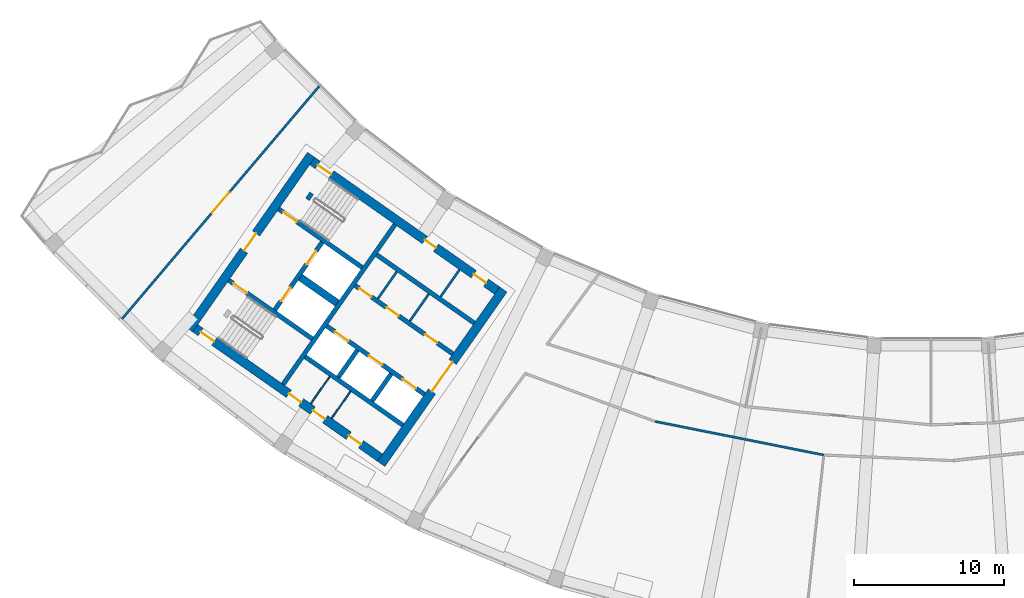
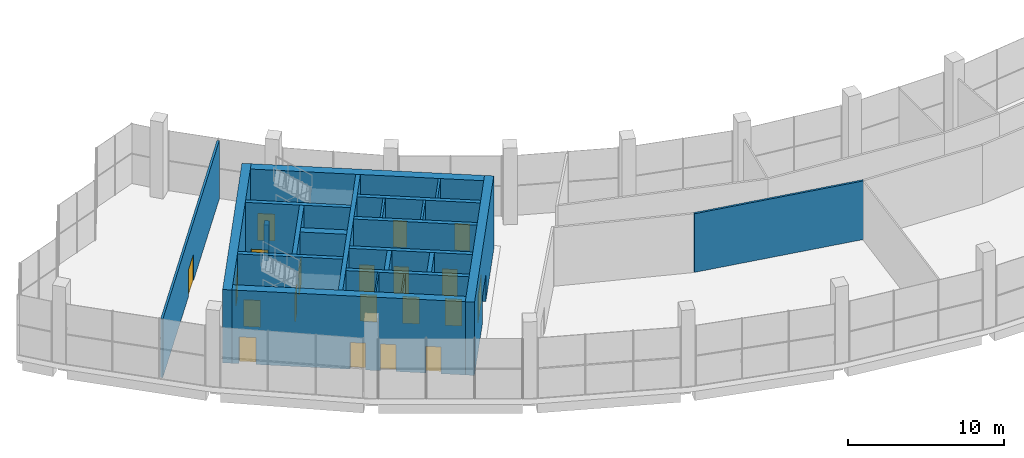
# One storey, part 3 of 41: 23 walls, 20 doors, 20 openings.
"""IFC4 building model written with IfcOpenShell, lengths in metres."""

from ifc_helpers import new_model, si_unit, direction, frame, frame_2d, origin, place, context, subcontext, project, spatial, rectangle, extrude, material, layer, layer_set, type_object, element, fill, save


model = new_model("IFC4")

# Units and contexts
model_context = context("Model", 3, precision=1e-05, world=origin(), true_north=direction((0.0, 1.0)))
body_context = subcontext(model_context, "Body", "Model", "MODEL_VIEW")
ifc_project = project(units=[si_unit("LENGTHUNIT", "METRE"), si_unit("AREAUNIT", "SQUARE_METRE"), si_unit("VOLUMEUNIT", "CUBIC_METRE"), si_unit("PLANEANGLEUNIT", "RADIAN"), si_unit("MASSUNIT", "GRAM", prefix="KILO")], contexts=[model_context])

# Site, building, storey
site_placement = place(None, origin())
site = spatial("IfcSite", under=ifc_project, at=site_placement, CompositionType="ELEMENT")
building_placement = place(site_placement, origin())
building = spatial("IfcBuilding", under=site, at=building_placement, Name="Qamariyya Broadcast Tower", CompositionType="ELEMENT")
storey_placement = place(building_placement, frame((0.0, 0.0, 284.699951171875)))
storey = spatial("IfcBuildingStorey", under=building, at=storey_placement, Name="L69", CompositionType="ELEMENT", Elevation=284.699951171875)

# Wall, opening, door
ifc_material_1 = material(Name="Concrete C60/75", Category="concrete")
ifc_layer_1 = layer(ifc_material_1, 0.60009765625)
ifc_layer_set_1 = layer_set([ifc_layer_1], Name="Core wall 600 mm Concrete C60/75")
wall_type_1 = type_object("IfcWallType", Name="Core wall 600 mm Concrete C60/75", PredefinedType="SHEAR", material=ifc_layer_set_1)
wall_1_placement = place(storey_placement, frame((-36.66748046875, -66.005126953125, 0.0), z_axis=(0.0, 0.0, 1.0), x_axis=(0.573568499524, 0.819157601658, 0.0)))
wall_1 = element("IfcWall", 1, at=wall_1_placement, inside=storey, type_object=wall_type_1, Name="k-W-L69-WA", PredefinedType="SHEAR", context=body_context, shape_type="SweptSolid", body=[
    extrude(rectangle(XDim=14.19970703125, YDim=0.60009765625, at=frame_2d((7.099853515625, 0.0))), origin(), (0.0, 0.0, 1.0), 5.75),
])
opening_1_placement = place(wall_1_placement, frame((5.89990234375, 0.0, 0.0)))
opening_1 = element("IfcOpeningElement", 2, at=opening_1_placement, cuts=wall_1, Name="Opening KD3-W1", PredefinedType="OPENING", context=body_context, shape_type="SweptSolid", body=[
    extrude(rectangle(XDim=2.39990234375, YDim=2.10009765625, at=frame_2d((1.199951171875, 1.050048828125))), frame((0.0, 0.31005859375, 0.0), z_axis=(0.0, -1.0, 0.0), x_axis=(1.0, 0.0, 0.0)), (0.0, 0.0, 1.0), 0.6201171875),
])
ifc_material_2 = material(Name="Steel fire-resisting door leaf", Category="steel")
door_type_1 = type_object("IfcDoorType", Name="Lift lobby door KD3", OperationType="DOUBLE_DOOR_SINGLE_SWING", PredefinedType="DOOR", material=ifc_material_2)
door_1_placement = place(opening_1_placement, origin())
door_1 = element("IfcDoor", 3, at=door_1_placement, inside=storey, type_object=door_type_1, Name="k-W-L69-WA-D1", OperationType="DOUBLE_DOOR_SINGLE_SWING", OverallHeight=2.10009765625, OverallWidth=2.39990234375, PredefinedType="DOOR", context=body_context, shape_type="SweptSolid", body=[
    extrude(rectangle(XDim=2.39990234375, YDim=2.10009765625, at=frame_2d((1.199951171875, 1.050048828125))), frame((0.0, 0.02490234375, 0.0), z_axis=(0.0, -1.0, 0.0), x_axis=(1.0, 0.0, 0.0)), (0.0, 0.0, 1.0), 0.050048828125),
])
fill(opening_1, door_1)

wall_2_placement = place(storey_placement, frame((-49.4833984375, -57.031494140625, 0.0), z_axis=(0.0, 0.0, 1.0), x_axis=(0.573560421458, 0.819163257805, 0.0)))
wall_2 = element("IfcWall", 4, at=wall_2_placement, inside=storey, type_object=wall_type_1, Name="k-W-L69-WH", PredefinedType="SHEAR", context=body_context, shape_type="SweptSolid", body=[
    extrude(rectangle(XDim=14.199951171875, YDim=0.60009765625, at=frame_2d((7.10009765625, 0.0))), origin(), (0.0, 0.0, 1.0), 5.75),
])
opening_2_placement = place(wall_2_placement, frame((6.39990234375, 0.0, 0.0)))
opening_2 = element("IfcOpeningElement", 5, at=opening_2_placement, cuts=wall_2, Name="Opening KD2-W1", PredefinedType="OPENING", context=body_context, shape_type="SweptSolid", body=[
    extrude(rectangle(XDim=1.39990234375, YDim=2.10009765625, at=frame_2d((0.699951171875, 1.050048828125))), frame((0.0, 0.31005859375, 0.0), z_axis=(0.0, -1.0, 0.0), x_axis=(1.0, 0.0, 0.0)), (0.0, 0.0, 1.0), 0.6201171875),
])
door_type_2 = type_object("IfcDoorType", Name="Fire-fighting lobby door KD2", OperationType="DOUBLE_DOOR_SINGLE_SWING", PredefinedType="DOOR", material=ifc_material_2)
door_2_placement = place(opening_2_placement, origin())
door_2 = element("IfcDoor", 6, at=door_2_placement, inside=storey, type_object=door_type_2, Name="k-W-L69-WH-D15", OperationType="DOUBLE_DOOR_SINGLE_SWING", OverallHeight=2.10009765625, OverallWidth=1.39990234375, PredefinedType="DOOR", context=body_context, shape_type="SweptSolid", body=[
    extrude(rectangle(XDim=1.39990234375, YDim=2.10009765625, at=frame_2d((0.699951171875, 1.050048828125))), frame((0.0, 0.02490234375, 0.0), z_axis=(0.0, -1.0, 0.0), x_axis=(1.0, 0.0, 0.0)), (0.0, 0.0, 1.0), 0.050048828125),
])
fill(opening_2, door_2)

# Wall, openings, doors
wall_3_placement = place(storey_placement, frame((-28.940673828125, -54.447021484375, 0.0), z_axis=(0.0, 0.0, 1.0), x_axis=(-0.819153391756, 0.573574511963, 0.0)))
wall_3 = element("IfcWall", 7, at=wall_3_placement, inside=storey, type_object=wall_type_1, Name="k-W-L69-WI", PredefinedType="SHEAR", context=body_context, shape_type="SweptSolid", body=[
    extrude(rectangle(XDim=15.04541015625, YDim=0.60009765625, at=frame_2d((7.522705078125, 0.0))), origin(), (0.0, 0.0, 1.0), 5.75),
])
opening_3_placement = place(wall_3_placement, frame((0.89990234375, 0.0, 0.0)))
opening_3 = element("IfcOpeningElement", 8, at=opening_3_placement, cuts=wall_3, Name="Opening KD7-W1", PredefinedType="OPENING", context=body_context, shape_type="SweptSolid", body=[
    extrude(rectangle(XDim=1.0, YDim=2.10009765625, at=frame_2d((0.5, 1.050048828125))), frame((0.0, 0.31005859375, 0.0), z_axis=(0.0, -1.0, 0.0), x_axis=(1.0, 0.0, 0.0)), (0.0, 0.0, 1.0), 0.6201171875),
])
opening_4_placement = place(wall_3_placement, frame((4.97509765625, 0.0, 0.0)))
opening_4 = element("IfcOpeningElement", 9, at=opening_4_placement, cuts=wall_3, Name="Opening KD5-W1", PredefinedType="OPENING", context=body_context, shape_type="SweptSolid", body=[
    extrude(rectangle(XDim=0.89990234375, YDim=2.10009765625, at=frame_2d((0.449951171875, 1.050048828125))), frame((0.0, 0.31005859375, 0.0), z_axis=(0.0, -1.0, 0.0), x_axis=(1.0, 0.0, 0.0)), (0.0, 0.0, 1.0), 0.6201171875),
])
opening_5_placement = place(wall_3_placement, frame((13.495361328125, 0.0, 0.0)))
opening_5 = element("IfcOpeningElement", 10, at=opening_5_placement, cuts=wall_3, Name="Opening KD1-W1", PredefinedType="OPENING", context=body_context, shape_type="SweptSolid", body=[
    extrude(rectangle(XDim=1.10009765625, YDim=2.10009765625, at=frame_2d((0.550048828125, 1.050048828125))), frame((0.0, 0.31005859375, 0.0), z_axis=(0.0, -1.0, 0.0), x_axis=(1.0, 0.0, 0.0)), (0.0, 0.0, 1.0), 0.6201171875),
])
door_type_3 = type_object("IfcDoorType", Name="Accessible toilet door KD7", OperationType="SINGLE_SWING_LEFT", PredefinedType="DOOR", material=ifc_material_2)
door_3_placement = place(opening_3_placement, origin())
door_3 = element("IfcDoor", 11, at=door_3_placement, inside=storey, type_object=door_type_3, Name="k-W-L69-WI-D8", OperationType="SINGLE_SWING_LEFT", OverallHeight=2.10009765625, OverallWidth=1.0, PredefinedType="DOOR", context=body_context, shape_type="SweptSolid", body=[
    extrude(rectangle(XDim=1.0, YDim=2.10009765625, at=frame_2d((0.5, 1.050048828125))), frame((0.0, 0.02490234375, 0.0), z_axis=(0.0, -1.0, 0.0), x_axis=(1.0, 0.0, 0.0)), (0.0, 0.0, 1.0), 0.050048828125),
])
fill(opening_3, door_3)
door_type_4 = type_object("IfcDoorType", Name="Stair door KD1", OperationType="SINGLE_SWING_LEFT", PredefinedType="DOOR", material=ifc_material_2)
door_4_placement = place(opening_5_placement, origin())
door_4 = element("IfcDoor", 12, at=door_4_placement, inside=storey, type_object=door_type_4, Name="k-W-L69-WI-D16", OperationType="SINGLE_SWING_RIGHT", OverallHeight=2.10009765625, OverallWidth=1.10009765625, PredefinedType="DOOR", context=body_context, shape_type="SweptSolid", body=[
    extrude(rectangle(XDim=1.10009765625, YDim=2.10009765625, at=frame_2d((0.550048828125, 1.050048828125))), frame((0.0, 0.02490234375, 0.0), z_axis=(0.0, -1.0, 0.0), x_axis=(1.0, 0.0, 0.0)), (0.0, 0.0, 1.0), 0.050048828125),
])
fill(opening_5, door_4)
door_type_5 = type_object("IfcDoorType", Name="Toilet door KD5", OperationType="SINGLE_SWING_LEFT", PredefinedType="DOOR", material=ifc_material_2)
door_5_placement = place(opening_4_placement, origin())
door_5 = element("IfcDoor", 13, at=door_5_placement, inside=storey, type_object=door_type_5, Name="k-W-L69-WI-D9", OperationType="SINGLE_SWING_RIGHT", OverallHeight=2.10009765625, OverallWidth=0.89990234375, PredefinedType="DOOR", context=body_context, shape_type="SweptSolid", body=[
    extrude(rectangle(XDim=0.89990234375, YDim=2.10009765625, at=frame_2d((0.449951171875, 1.050048828125))), frame((0.0, 0.02490234375, 0.0), z_axis=(0.0, -1.0, 0.0), x_axis=(1.0, 0.0, 0.0)), (0.0, 0.0, 1.0), 0.050048828125),
])
fill(opening_4, door_5)

wall_4_placement = place(storey_placement, frame((-36.7412109375, -65.58740234375, 0.0), z_axis=(0.0, 0.0, 1.0), x_axis=(-0.819153391756, 0.573574511963, 0.0)))
wall_4 = element("IfcWall", 14, at=wall_4_placement, inside=storey, type_object=wall_type_1, Name="k-W-L69-WO", PredefinedType="SHEAR", context=body_context, shape_type="SweptSolid", body=[
    extrude(rectangle(XDim=15.04541015625, YDim=0.60009765625, at=frame_2d((7.522705078125, 0.0))), origin(), (0.0, 0.0, 1.0), 5.75),
])
opening_6_placement = place(wall_4_placement, frame((1.550048828125, 0.0, 0.0)))
opening_6 = element("IfcOpeningElement", 15, at=opening_6_placement, cuts=wall_4, Name="Opening KD4-W2", PredefinedType="OPENING", context=body_context, shape_type="SweptSolid", body=[
    extrude(rectangle(XDim=1.0, YDim=2.10009765625, at=frame_2d((0.5, 1.050048828125))), frame((0.0, 0.31005859375, 0.0), z_axis=(0.0, -1.0, 0.0), x_axis=(1.0, 0.0, 0.0)), (0.0, 0.0, 1.0), 0.6201171875),
])
opening_7_placement = place(wall_4_placement, frame((4.47509765625, 0.0, 0.0)))
opening_7 = element("IfcOpeningElement", 16, at=opening_7_placement, cuts=wall_4, Name="Opening KD4-W3", PredefinedType="OPENING", context=body_context, shape_type="SweptSolid", body=[
    extrude(rectangle(XDim=1.0, YDim=2.10009765625, at=frame_2d((0.5, 1.050048828125))), frame((0.0, 0.31005859375, 0.0), z_axis=(0.0, -1.0, 0.0), x_axis=(1.0, 0.0, 0.0)), (0.0, 0.0, 1.0), 0.6201171875),
])
opening_8_placement = place(wall_4_placement, frame((6.425048828125, 0.0, 0.0)))
opening_8 = element("IfcOpeningElement", 17, at=opening_8_placement, cuts=wall_4, Name="Opening KD4-W4", PredefinedType="OPENING", context=body_context, shape_type="SweptSolid", body=[
    extrude(rectangle(XDim=1.0, YDim=2.10009765625, at=frame_2d((0.5, 1.050048828125))), frame((0.0, 0.31005859375, 0.0), z_axis=(0.0, -1.0, 0.0), x_axis=(1.0, 0.0, 0.0)), (0.0, 0.0, 1.0), 0.6201171875),
])
opening_9_placement = place(wall_4_placement, frame((13.495361328125, 0.0, 0.0)))
opening_9 = element("IfcOpeningElement", 18, at=opening_9_placement, cuts=wall_4, Name="Opening KD1-W3", PredefinedType="OPENING", context=body_context, shape_type="SweptSolid", body=[
    extrude(rectangle(XDim=1.10009765625, YDim=2.10009765625, at=frame_2d((0.550048828125, 1.050048828125))), frame((0.0, 0.31005859375, 0.0), z_axis=(0.0, -1.0, 0.0), x_axis=(1.0, 0.0, 0.0)), (0.0, 0.0, 1.0), 0.6201171875),
])
door_type_6 = type_object("IfcDoorType", Name="Riser and plant door KD4", OperationType="SINGLE_SWING_LEFT", PredefinedType="DOOR", material=ifc_material_2)
door_6_placement = place(opening_6_placement, origin())
door_6 = element("IfcDoor", 19, at=door_6_placement, inside=storey, type_object=door_type_6, Name="k-W-L69-WO-D10", OperationType="SINGLE_SWING_LEFT", OverallHeight=2.10009765625, OverallWidth=1.0, PredefinedType="DOOR", context=body_context, shape_type="SweptSolid", body=[
    extrude(rectangle(XDim=1.0, YDim=2.10009765625, at=frame_2d((0.5, 1.050048828125))), frame((0.0, 0.02490234375, 0.0), z_axis=(0.0, -1.0, 0.0), x_axis=(1.0, 0.0, 0.0)), (0.0, 0.0, 1.0), 0.050048828125),
])
fill(opening_6, door_6)
door_7_placement = place(opening_7_placement, origin())
door_7 = element("IfcDoor", 20, at=door_7_placement, inside=storey, type_object=door_type_6, Name="k-W-L69-WO-D11", OperationType="SINGLE_SWING_RIGHT", OverallHeight=2.10009765625, OverallWidth=1.0, PredefinedType="DOOR", context=body_context, shape_type="SweptSolid", body=[
    extrude(rectangle(XDim=1.0, YDim=2.10009765625, at=frame_2d((0.5, 1.050048828125))), frame((0.0, 0.02490234375, 0.0), z_axis=(0.0, -1.0, 0.0), x_axis=(1.0, 0.0, 0.0)), (0.0, 0.0, 1.0), 0.050048828125),
])
fill(opening_7, door_7)
door_8_placement = place(opening_8_placement, origin())
door_8 = element("IfcDoor", 21, at=door_8_placement, inside=storey, type_object=door_type_6, Name="k-W-L69-WO-D12", OperationType="SINGLE_SWING_LEFT", OverallHeight=2.10009765625, OverallWidth=1.0, PredefinedType="DOOR", context=body_context, shape_type="SweptSolid", body=[
    extrude(rectangle(XDim=1.0, YDim=2.10009765625, at=frame_2d((0.5, 1.050048828125))), frame((0.0, 0.02490234375, 0.0), z_axis=(0.0, -1.0, 0.0), x_axis=(1.0, 0.0, 0.0)), (0.0, 0.0, 1.0), 0.050048828125),
])
fill(opening_8, door_8)
door_9_placement = place(opening_9_placement, origin())
door_9 = element("IfcDoor", 22, at=door_9_placement, inside=storey, type_object=door_type_4, Name="k-W-L69-WO-D18", OperationType="SINGLE_SWING_LEFT", OverallHeight=2.10009765625, OverallWidth=1.10009765625, PredefinedType="DOOR", context=body_context, shape_type="SweptSolid", body=[
    extrude(rectangle(XDim=1.10009765625, YDim=2.10009765625, at=frame_2d((0.550048828125, 1.050048828125))), frame((0.0, 0.02490234375, 0.0), z_axis=(0.0, -1.0, 0.0), x_axis=(1.0, 0.0, 0.0)), (0.0, 0.0, 1.0), 0.050048828125),
])
fill(opening_9, door_9)

# Wall, opening, door
ifc_material_3 = material(Name="Gypsum board partition")
ifc_layer_2 = layer(ifc_material_3, 0.14990234375)
ifc_layer_set_2 = layer_set([ifc_layer_2], Name="Corridor partition 150 EI 60")
wall_type_2 = type_object("IfcWallType", Name="Corridor partition 150 EI 60", PredefinedType="PARTITIONING", material=ifc_layer_set_2)
wall_5_placement = place(storey_placement, frame((-53.946044921875, -56.33837890625, 0.0), z_axis=(0.0, 0.0, 1.0), x_axis=(0.646427254639, 0.762975625076, 0.0)))
wall_5 = element("IfcWall", 23, at=wall_5_placement, inside=storey, type_object=wall_type_2, Name="Partition L69-001", PredefinedType="PARTITIONING", context=body_context, shape_type="SweptSolid", body=[
    extrude(rectangle(XDim=20.325439453125, YDim=0.14990234375, at=frame_2d((10.16259765625, 0.0))), origin(), (0.0, 0.0, 1.0), 4.60009765625),
])
opening_10_placement = place(wall_5_placement, frame((9.2626953125, 0.0, 0.0)))
opening_10 = element("IfcOpeningElement", 24, at=opening_10_placement, cuts=wall_5, Name="Opening L69-D09", PredefinedType="OPENING", context=body_context, shape_type="SweptSolid", body=[
    extrude(rectangle(XDim=1.800048828125, YDim=2.10009765625, at=frame_2d((0.89990234375, 1.050048828125))), frame((0.0, 0.0849609375, 0.0), z_axis=(0.0, -1.0, 0.0), x_axis=(1.0, 0.0, 0.0)), (0.0, 0.0, 1.0), 0.169921875),
])
ifc_material_4 = material(Name="Timber fire door leaf", Category="wood")
door_type_7 = type_object("IfcDoorType", Name="Double fire door 1800 x 2100 FD60", OperationType="NOTDEFINED", PredefinedType="DOOR", material=ifc_material_4)
door_10_placement = place(opening_10_placement, origin())
door_10 = element("IfcDoor", 25, at=door_10_placement, inside=storey, type_object=door_type_7, Name="Door L69-D09", OperationType="DOUBLE_DOOR_SINGLE_SWING", OverallHeight=2.10009765625, OverallWidth=1.800048828125, PredefinedType="DOOR", context=body_context, shape_type="SweptSolid", body=[
    extrude(rectangle(XDim=1.800048828125, YDim=2.10009765625, at=frame_2d((0.89990234375, 1.050048828125))), frame((0.0, 0.02490234375, 0.0), z_axis=(0.0, -1.0, 0.0), x_axis=(1.0, 0.0, 0.0)), (0.0, 0.0, 1.0), 0.050048828125),
])
fill(opening_10, door_10)

# Walls
wall_6_placement = place(storey_placement, frame((-18.40576171875, -63.172607421875, 0.0), z_axis=(0.0, 0.0, 1.0), x_axis=(0.980785720438, -0.1950881098, 0.0)))
element("IfcWall", 26, at=wall_6_placement, inside=storey, type_object=wall_type_2, Name="Partition L69-006", PredefinedType="PARTITIONING", context=body_context, shape_type="SweptSolid", body=[
    extrude(rectangle(XDim=11.46435546875, YDim=0.14990234375, at=frame_2d((5.732177734375, 0.0))), origin(), (0.0, 0.0, 1.0), 4.60009765625),
])
ifc_layer_3 = layer(ifc_material_1, 0.5)
ifc_layer_set_3 = layer_set([ifc_layer_3], Name="Fire-fighting lobby divider wall 500 mm Concrete C60/75")
wall_type_3 = type_object("IfcWallType", Name="Fire-fighting lobby divider wall 500 mm Concrete C60/75", PredefinedType="SOLIDWALL", material=ifc_layer_set_3)
wall_7_placement = place(storey_placement, frame((-39.59912109375, -55.28515625, 0.0), z_axis=(0.0, 0.0, 1.0), x_axis=(-0.819136323161, 0.573598887793, 0.0)))
element("IfcWall", 27, at=wall_7_placement, inside=storey, type_object=wall_type_3, Name="k-W-L69-FD", PredefinedType="SOLIDWALL", context=body_context, shape_type="SweptSolid", body=[
    extrude(rectangle(XDim=2.999755859375, YDim=0.5, at=frame_2d((1.5, 0.0))), origin(), (0.0, 0.0, 1.0), 5.75),
])
ifc_material_5 = material(Name="Gypsum board partition on steel studs", Category="steel")
ifc_layer_4 = layer(ifc_material_5, 0.14990234375)
ifc_layer_set_4 = layer_set([ifc_layer_4], Name="Gypsum board partition 150 mm")
wall_type_4 = type_object("IfcWallType", Name="Gypsum board partition 150 mm", PredefinedType="PARTITIONING", material=ifc_layer_set_4)
for number, where, z_axis, x_axis, name in (
    (28, (-34.757568359375, -56.477783203125, 0.0), (0.0, 0.0, 1.0), (0.573633636671, 0.819111989218, 0.0), "k-W-L69-NC360"),
    (29, (-36.88720703125, -54.986572265625, 0.0), (0.0, 0.0, 1.0), (0.573507030513, 0.819200638399, 0.0), "k-W-L69-NC620"),
    (30, (-32.709228515625, -54.860107421875, 0.0), (0.0, 0.0, 1.0), (0.573633636671, 0.819111989218, 0.0), "k-W-L69-NP285"),
):
    element("IfcWall", number, at=place(storey_placement, frame(where, z_axis=z_axis, x_axis=x_axis)), inside=storey, type_object=wall_type_4, Name=name, PredefinedType="PARTITIONING", context=body_context, shape_type="SweptSolid", body=[
        extrude(rectangle(XDim=2.199951171875, YDim=0.14990234375, at=frame_2d((1.10009765625, 0.0))), origin(), (0.0, 0.0, 1.0), 5.75),
    ])
ifc_layer_5 = layer(ifc_material_1, 0.300048828125)
ifc_layer_set_5 = layer_set([ifc_layer_5], Name="Lift shaft wall 300 mm Concrete C60/75")
wall_type_5 = type_object("IfcWallType", Name="Lift shaft wall 300 mm Concrete C60/75", PredefinedType="SOLIDWALL", material=ifc_layer_set_5)
wall_8_placement = place(storey_placement, frame((-43.204345703125, -60.69580078125, 0.0), z_axis=(0.0, 0.0, 1.0), x_axis=(0.573571992966, 0.819155155563, 0.0)))
element("IfcWall", 31, at=wall_8_placement, inside=storey, type_object=wall_type_5, Name="k-W-L69-WL", PredefinedType="SOLIDWALL", context=body_context, shape_type="SweptSolid", body=[
    extrude(rectangle(XDim=13.000244140625, YDim=0.300048828125, at=frame_2d((6.5, 0.0))), origin(), (0.0, 0.0, 1.0), 5.75),
])

# Wall, openings, doors
wall_9_placement = place(storey_placement, frame((-31.89453125, -58.66552734375, 0.0), z_axis=(0.0, 0.0, 1.0), x_axis=(-0.819166993208, 0.573555086491, 0.0)))
wall_9 = element("IfcWall", 32, at=wall_9_placement, inside=storey, type_object=wall_type_5, Name="k-W-L69-NF0", PredefinedType="SOLIDWALL", context=body_context, shape_type="SweptSolid", body=[
    extrude(rectangle(XDim=7.9501953125, YDim=0.300048828125, at=frame_2d((3.97509765625, 0.0))), origin(), (0.0, 0.0, 1.0), 5.75),
])
opening_11_placement = place(wall_9_placement, frame((1.262451171875, 0.0, 0.0)))
opening_11 = element("IfcOpeningElement", 33, at=opening_11_placement, cuts=wall_9, Name="Opening KD4-W1", PredefinedType="OPENING", context=body_context, shape_type="SweptSolid", body=[
    extrude(rectangle(XDim=1.0, YDim=2.10009765625, at=frame_2d((0.5, 1.050048828125))), frame((0.0, 0.159912109375, 0.0), z_axis=(0.0, -1.0, 0.0), x_axis=(1.0, 0.0, 0.0)), (0.0, 0.0, 1.0), 0.320068359375),
])
opening_12_placement = place(wall_9_placement, frame((4.39990234375, 0.0, 0.0)))
opening_12 = element("IfcOpeningElement", 34, at=opening_12_placement, cuts=wall_9, Name="Opening KD6-W1", PredefinedType="OPENING", context=body_context, shape_type="SweptSolid", body=[
    extrude(rectangle(XDim=1.0, YDim=2.10009765625, at=frame_2d((0.5, 1.050048828125))), frame((0.0, 0.159912109375, 0.0), z_axis=(0.0, -1.0, 0.0), x_axis=(1.0, 0.0, 0.0)), (0.0, 0.0, 1.0), 0.320068359375),
])
opening_13_placement = place(wall_9_placement, frame((6.612548828125, 0.0, 0.0)))
opening_13 = element("IfcOpeningElement", 35, at=opening_13_placement, cuts=wall_9, Name="Opening KD6-W2", PredefinedType="OPENING", context=body_context, shape_type="SweptSolid", body=[
    extrude(rectangle(XDim=1.0, YDim=2.10009765625, at=frame_2d((0.5, 1.050048828125))), frame((0.0, 0.159912109375, 0.0), z_axis=(0.0, -1.0, 0.0), x_axis=(1.0, 0.0, 0.0)), (0.0, 0.0, 1.0), 0.320068359375),
])
door_type_8 = type_object("IfcDoorType", Name="Core room door KD6", OperationType="SINGLE_SWING_LEFT", PredefinedType="DOOR", material=ifc_material_2)
door_11_placement = place(opening_12_placement, origin())
door_11 = element("IfcDoor", 36, at=door_11_placement, inside=storey, type_object=door_type_8, Name="k-W-L69-NF0-D3", OperationType="SINGLE_SWING_RIGHT", OverallHeight=2.10009765625, OverallWidth=1.0, PredefinedType="DOOR", context=body_context, shape_type="SweptSolid", body=[
    extrude(rectangle(XDim=1.0, YDim=2.10009765625, at=frame_2d((0.5, 1.050048828125))), frame((0.0, 0.02490234375, 0.0), z_axis=(0.0, -1.0, 0.0), x_axis=(1.0, 0.0, 0.0)), (0.0, 0.0, 1.0), 0.050048828125),
])
fill(opening_12, door_11)
door_12_placement = place(opening_13_placement, origin())
door_12 = element("IfcDoor", 37, at=door_12_placement, inside=storey, type_object=door_type_8, Name="k-W-L69-NF0-D4", OperationType="SINGLE_SWING_LEFT", OverallHeight=2.10009765625, OverallWidth=1.0, PredefinedType="DOOR", context=body_context, shape_type="SweptSolid", body=[
    extrude(rectangle(XDim=1.0, YDim=2.10009765625, at=frame_2d((0.5, 1.050048828125))), frame((0.0, 0.02490234375, 0.0), z_axis=(0.0, -1.0, 0.0), x_axis=(1.0, 0.0, 0.0)), (0.0, 0.0, 1.0), 0.050048828125),
])
fill(opening_13, door_12)
door_13_placement = place(opening_11_placement, origin())
door_13 = element("IfcDoor", 38, at=door_13_placement, inside=storey, type_object=door_type_6, Name="k-W-L69-NF0-D2", OperationType="SINGLE_SWING_LEFT", OverallHeight=2.10009765625, OverallWidth=1.0, PredefinedType="DOOR", context=body_context, shape_type="SweptSolid", body=[
    extrude(rectangle(XDim=1.0, YDim=2.10009765625, at=frame_2d((0.5, 1.050048828125))), frame((0.0, 0.02490234375, 0.0), z_axis=(0.0, -1.0, 0.0), x_axis=(1.0, 0.0, 0.0)), (0.0, 0.0, 1.0), 0.050048828125),
])
fill(opening_11, door_13)

# Wall
wall_10_placement = place(storey_placement, frame((-30.460693359375, -56.61767578125, 0.0), z_axis=(0.0, 0.0, 1.0), x_axis=(-0.819142461705, 0.573590121456, 0.0)))
element("IfcWall", 39, at=wall_10_placement, inside=storey, type_object=wall_type_5, Name="k-W-L69-NB0", PredefinedType="SOLIDWALL", context=body_context, shape_type="SweptSolid", body=[
    extrude(rectangle(XDim=7.949951171875, YDim=0.300048828125, at=frame_2d((3.97509765625, 0.0))), origin(), (0.0, 0.0, 1.0), 5.75),
])

# Wall, openings, doors
wall_11_placement = place(storey_placement, frame((-33.787353515625, -61.368896484375, 0.0), z_axis=(0.0, 0.0, 1.0), x_axis=(-0.819152564888, 0.573575692858, 0.0)))
wall_11 = element("IfcWall", 40, at=wall_11_placement, inside=storey, type_object=wall_type_5, Name="k-W-L69-SF0", PredefinedType="SOLIDWALL", context=body_context, shape_type="SweptSolid", body=[
    extrude(rectangle(XDim=7.9501953125, YDim=0.300048828125, at=frame_2d((3.97509765625, 0.0))), origin(), (0.0, 0.0, 1.0), 5.75),
])
opening_14_placement = place(wall_11_placement, frame((0.675048828125, 0.0, 0.0)))
opening_14 = element("IfcOpeningElement", 41, at=opening_14_placement, cuts=wall_11, Name="Opening LD", PredefinedType="OPENING", context=body_context, shape_type="SweptSolid", body=[
    extrude(rectangle(XDim=1.10009765625, YDim=2.10009765625, at=frame_2d((0.550048828125, 1.050048828125))), frame((0.0, 0.159912109375, 0.0), z_axis=(0.0, -1.0, 0.0), x_axis=(1.0, 0.0, 0.0)), (0.0, 0.0, 1.0), 0.320068359375),
])
opening_15_placement = place(wall_11_placement, frame((3.425048828125, 0.0, 0.0)))
opening_15 = element("IfcOpeningElement", 42, at=opening_15_placement, cuts=wall_11, Name="Opening LD", PredefinedType="OPENING", context=body_context, shape_type="SweptSolid", body=[
    extrude(rectangle(XDim=1.10009765625, YDim=2.10009765625, at=frame_2d((0.550048828125, 1.050048828125))), frame((0.0, 0.159912109375, 0.0), z_axis=(0.0, -1.0, 0.0), x_axis=(1.0, 0.0, 0.0)), (0.0, 0.0, 1.0), 0.320068359375),
])
opening_16_placement = place(wall_11_placement, frame((6.175048828125, 0.0, 0.0)))
opening_16 = element("IfcOpeningElement", 43, at=opening_16_placement, cuts=wall_11, Name="Opening LD", PredefinedType="OPENING", context=body_context, shape_type="SweptSolid", body=[
    extrude(rectangle(XDim=1.10009765625, YDim=2.10009765625, at=frame_2d((0.550048828125, 1.050048828125))), frame((0.0, 0.159912109375, 0.0), z_axis=(0.0, -1.0, 0.0), x_axis=(1.0, 0.0, 0.0)), (0.0, 0.0, 1.0), 0.320068359375),
])
door_type_9 = type_object("IfcDoorType", Name="Lift landing door LD", OperationType="DOUBLE_DOOR_SLIDING", PredefinedType="DOOR", material=ifc_material_2)
door_14_placement = place(opening_14_placement, origin())
door_14 = element("IfcDoor", 44, at=door_14_placement, inside=storey, type_object=door_type_9, Name="k-W-L69-SF0-D5", OperationType="DOUBLE_DOOR_SLIDING", OverallHeight=2.10009765625, OverallWidth=1.10009765625, PredefinedType="DOOR", context=body_context, shape_type="SweptSolid", body=[
    extrude(rectangle(XDim=1.10009765625, YDim=2.10009765625, at=frame_2d((0.550048828125, 1.050048828125))), frame((0.0, 0.02490234375, 0.0), z_axis=(0.0, -1.0, 0.0), x_axis=(1.0, 0.0, 0.0)), (0.0, 0.0, 1.0), 0.050048828125),
])
fill(opening_14, door_14)
door_15_placement = place(opening_15_placement, origin())
door_15 = element("IfcDoor", 45, at=door_15_placement, inside=storey, type_object=door_type_9, Name="k-W-L69-SF0-D6", OperationType="DOUBLE_DOOR_SLIDING", OverallHeight=2.10009765625, OverallWidth=1.10009765625, PredefinedType="DOOR", context=body_context, shape_type="SweptSolid", body=[
    extrude(rectangle(XDim=1.10009765625, YDim=2.10009765625, at=frame_2d((0.550048828125, 1.050048828125))), frame((0.0, 0.02490234375, 0.0), z_axis=(0.0, -1.0, 0.0), x_axis=(1.0, 0.0, 0.0)), (0.0, 0.0, 1.0), 0.050048828125),
])
fill(opening_15, door_15)
door_16_placement = place(opening_16_placement, origin())
door_16 = element("IfcDoor", 46, at=door_16_placement, inside=storey, type_object=door_type_9, Name="k-W-L69-SF0-D7", OperationType="DOUBLE_DOOR_SLIDING", OverallHeight=2.10009765625, OverallWidth=1.10009765625, PredefinedType="DOOR", context=body_context, shape_type="SweptSolid", body=[
    extrude(rectangle(XDim=1.10009765625, YDim=2.10009765625, at=frame_2d((0.550048828125, 1.050048828125))), frame((0.0, 0.02490234375, 0.0), z_axis=(0.0, -1.0, 0.0), x_axis=(1.0, 0.0, 0.0)), (0.0, 0.0, 1.0), 0.050048828125),
])
fill(opening_16, door_16)

# Walls
wall_12_placement = place(storey_placement, frame((-35.22119140625, -63.41650390625, 0.0), z_axis=(0.0, 0.0, 1.0), x_axis=(-0.819166993208, 0.573555086491, 0.0)))
element("IfcWall", 47, at=wall_12_placement, inside=storey, type_object=wall_type_5, Name="k-W-L69-SB0", PredefinedType="SOLIDWALL", context=body_context, shape_type="SweptSolid", body=[
    extrude(rectangle(XDim=7.9501953125, YDim=0.300048828125, at=frame_2d((3.97509765625, 0.0))), origin(), (0.0, 0.0, 1.0), 5.75),
])
wall_13_placement = place(storey_placement, frame((-36.003173828125, -60.000244140625, 0.0), z_axis=(0.0, 0.0, 1.0), x_axis=(-0.573581496053, -0.819148501424, 0.0)))
element("IfcWall", 48, at=wall_13_placement, inside=storey, type_object=wall_type_5, Name="k-W-L69-SD0", PredefinedType="SOLIDWALL", context=body_context, shape_type="SweptSolid", body=[
    extrude(rectangle(XDim=2.2001953125, YDim=0.300048828125, at=frame_2d((1.10009765625, 0.0))), origin(), (0.0, 0.0, 1.0), 5.75),
])
wall_14_placement = place(storey_placement, frame((-38.255859375, -58.423095703125, 0.0), z_axis=(0.0, 0.0, 1.0), x_axis=(-0.573633636671, -0.819111989218, 0.0)))
element("IfcWall", 49, at=wall_14_placement, inside=storey, type_object=wall_type_5, Name="k-W-L69-SD1", PredefinedType="SOLIDWALL", context=body_context, shape_type="SweptSolid", body=[
    extrude(rectangle(XDim=2.199951171875, YDim=0.300048828125, at=frame_2d((1.10009765625, 0.0))), origin(), (0.0, 0.0, 1.0), 5.75),
])

# Wall, opening, door
wall_15_placement = place(storey_placement, frame((-37.935546875, -52.90966796875, 0.0), z_axis=(0.0, 0.0, 1.0), x_axis=(-0.819147518138, 0.57358290031, 0.0)))
wall_15 = element("IfcWall", 50, at=wall_15_placement, inside=storey, type_object=wall_type_5, Name="k-W-L69-NW", PredefinedType="SOLIDWALL", context=body_context, shape_type="SweptSolid", body=[
    extrude(rectangle(XDim=6.79541015625, YDim=0.300048828125, at=frame_2d((3.397705078125, 0.0))), origin(), (0.0, 0.0, 1.0), 5.75),
])
opening_17_placement = place(wall_15_placement, frame((5.3203125, 0.0, 0.0)))
opening_17 = element("IfcOpeningElement", 51, at=opening_17_placement, cuts=wall_15, Name="Opening KD1-W2", PredefinedType="OPENING", context=body_context, shape_type="SweptSolid", body=[
    extrude(rectangle(XDim=1.10009765625, YDim=2.10009765625, at=frame_2d((0.550048828125, 1.050048828125))), frame((0.0, 0.159912109375, 0.0), z_axis=(0.0, -1.0, 0.0), x_axis=(1.0, 0.0, 0.0)), (0.0, 0.0, 1.0), 0.320068359375),
])
door_17_placement = place(opening_17_placement, origin())
door_17 = element("IfcDoor", 52, at=door_17_placement, inside=storey, type_object=door_type_4, Name="k-W-L69-NW-D17", OperationType="SINGLE_SWING_RIGHT", OverallHeight=2.10009765625, OverallWidth=1.10009765625, PredefinedType="DOOR", context=body_context, shape_type="SweptSolid", body=[
    extrude(rectangle(XDim=1.10009765625, YDim=2.10009765625, at=frame_2d((0.550048828125, 1.050048828125))), frame((0.0, 0.02490234375, 0.0), z_axis=(0.0, -1.0, 0.0), x_axis=(1.0, 0.0, 0.0)), (0.0, 0.0, 1.0), 0.050048828125),
])
fill(opening_17, door_17)

wall_16_placement = place(storey_placement, frame((-41.262451171875, -57.66064453125, 0.0), z_axis=(0.0, 0.0, 1.0), x_axis=(-0.819164398642, 0.573558792102, 0.0)))
wall_16 = element("IfcWall", 53, at=wall_16_placement, inside=storey, type_object=wall_type_5, Name="k-W-L69-SW", PredefinedType="SOLIDWALL", context=body_context, shape_type="SweptSolid", body=[
    extrude(rectangle(XDim=6.795166015625, YDim=0.300048828125, at=frame_2d((3.3974609375, 0.0))), origin(), (0.0, 0.0, 1.0), 5.75),
])
opening_18_placement = place(wall_16_placement, frame((5.3203125, 0.0, 0.0)))
opening_18 = element("IfcOpeningElement", 54, at=opening_18_placement, cuts=wall_16, Name="Opening KD1-W4", PredefinedType="OPENING", context=body_context, shape_type="SweptSolid", body=[
    extrude(rectangle(XDim=1.10009765625, YDim=2.10009765625, at=frame_2d((0.550048828125, 1.050048828125))), frame((0.0, 0.159912109375, 0.0), z_axis=(0.0, -1.0, 0.0), x_axis=(1.0, 0.0, 0.0)), (0.0, 0.0, 1.0), 0.320068359375),
])
door_18_placement = place(opening_18_placement, origin())
door_18 = element("IfcDoor", 55, at=door_18_placement, inside=storey, type_object=door_type_4, Name="k-W-L69-SW-D19", OperationType="SINGLE_SWING_RIGHT", OverallHeight=2.10009765625, OverallWidth=1.10009765625, PredefinedType="DOOR", context=body_context, shape_type="SweptSolid", body=[
    extrude(rectangle(XDim=1.10009765625, YDim=2.10009765625, at=frame_2d((0.550048828125, 1.050048828125))), frame((0.0, 0.02490234375, 0.0), z_axis=(0.0, -1.0, 0.0), x_axis=(1.0, 0.0, 0.0)), (0.0, 0.0, 1.0), 0.050048828125),
])
fill(opening_18, door_18)

# Wall, openings, doors
wall_17_placement = place(storey_placement, frame((-43.756591796875, -55.731201171875, 0.0), z_axis=(0.0, 0.0, 1.0), x_axis=(0.573536818435, 0.819179783625, 0.0)))
wall_17 = element("IfcWall", 56, at=wall_17_placement, inside=storey, type_object=wall_type_5, Name="k-W-L69-FF", PredefinedType="SOLIDWALL", context=body_context, shape_type="SweptSolid", body=[
    extrude(rectangle(XDim=5.500244140625, YDim=0.300048828125, at=frame_2d((2.75, 0.0))), origin(), (0.0, 0.0, 1.0), 5.75),
])
opening_19_placement = place(wall_17_placement, frame((0.699951171875, 0.0, 0.0)))
opening_19 = element("IfcOpeningElement", 57, at=opening_19_placement, cuts=wall_17, Name="Opening LD", PredefinedType="OPENING", context=body_context, shape_type="SweptSolid", body=[
    extrude(rectangle(XDim=1.10009765625, YDim=2.10009765625, at=frame_2d((0.550048828125, 1.050048828125))), frame((0.0, 0.159912109375, 0.0), z_axis=(0.0, -1.0, 0.0), x_axis=(1.0, 0.0, 0.0)), (0.0, 0.0, 1.0), 0.320068359375),
])
opening_20_placement = place(wall_17_placement, frame((3.699951171875, 0.0, 0.0)))
opening_20 = element("IfcOpeningElement", 58, at=opening_20_placement, cuts=wall_17, Name="Opening LD", PredefinedType="OPENING", context=body_context, shape_type="SweptSolid", body=[
    extrude(rectangle(XDim=1.10009765625, YDim=2.10009765625, at=frame_2d((0.550048828125, 1.050048828125))), frame((0.0, 0.159912109375, 0.0), z_axis=(0.0, -1.0, 0.0), x_axis=(1.0, 0.0, 0.0)), (0.0, 0.0, 1.0), 0.320068359375),
])
door_19_placement = place(opening_19_placement, origin())
door_19 = element("IfcDoor", 59, at=door_19_placement, inside=storey, type_object=door_type_9, Name="k-W-L69-FF-D13", OperationType="DOUBLE_DOOR_SLIDING", OverallHeight=2.10009765625, OverallWidth=1.10009765625, PredefinedType="DOOR", context=body_context, shape_type="SweptSolid", body=[
    extrude(rectangle(XDim=1.10009765625, YDim=2.10009765625, at=frame_2d((0.550048828125, 1.050048828125))), frame((0.0, 0.02490234375, 0.0), z_axis=(0.0, -1.0, 0.0), x_axis=(1.0, 0.0, 0.0)), (0.0, 0.0, 1.0), 0.050048828125),
])
fill(opening_19, door_19)
door_20_placement = place(opening_20_placement, origin())
door_20 = element("IfcDoor", 60, at=door_20_placement, inside=storey, type_object=door_type_9, Name="k-W-L69-FF-D14", OperationType="DOUBLE_DOOR_SLIDING", OverallHeight=2.10009765625, OverallWidth=1.10009765625, PredefinedType="DOOR", context=body_context, shape_type="SweptSolid", body=[
    extrude(rectangle(XDim=1.10009765625, YDim=2.10009765625, at=frame_2d((0.550048828125, 1.050048828125))), frame((0.0, 0.02490234375, 0.0), z_axis=(0.0, -1.0, 0.0), x_axis=(1.0, 0.0, 0.0)), (0.0, 0.0, 1.0), 0.050048828125),
])
fill(opening_20, door_20)

# Walls
wall_18_placement = place(storey_placement, frame((-41.5869140625, -48.369140625, 0.0), z_axis=(0.0, 0.0, 1.0), x_axis=(0.573495128918, 0.819208970354, 0.0)))
element("IfcWall", 61, at=wall_18_placement, inside=storey, type_object=wall_type_5, Name="k-W-L69-W2PR", PredefinedType="SOLIDWALL", context=body_context, shape_type="SweptSolid", body=[
    extrude(rectangle(XDim=0.499755859375, YDim=0.300048828125, at=frame_2d((0.25, 0.0))), origin(), (0.0, 0.0, 1.0), 2.800048828125),
])
ifc_material_6 = material(Name="Fire-rated gypsum shaft liner on steel studs", Category="steel")
ifc_layer_6 = layer(ifc_material_6, 0.10009765625)
ifc_layer_set_6 = layer_set([ifc_layer_6], Name="Riser wall 100 mm")
wall_type_6 = type_object("IfcWallType", Name="Riser wall 100 mm", PredefinedType="PLUMBINGWALL", material=ifc_layer_set_6)
for number, where, z_axis, x_axis, name in (
    (62, (-38.706787109375, -61.1591796875, 0.0), (0.0, 0.0, 1.0), (-0.573633636671, -0.819111989218, 0.0), "k-W-L69-SP415"),
    (63, (-40.099365234375, -60.18408203125, 0.0), (0.0, 0.0, 1.0), (-0.573633636671, -0.819111989218, 0.0), "k-W-L69-SP585"),
):
    element("IfcWall", number, at=place(storey_placement, frame(where, z_axis=z_axis, x_axis=x_axis)), inside=storey, type_object=wall_type_6, Name=name, PredefinedType="PLUMBINGWALL", context=body_context, shape_type="SweptSolid", body=[
        extrude(rectangle(XDim=2.199951171875, YDim=0.10009765625, at=frame_2d((1.10009765625, 0.0))), origin(), (0.0, 0.0, 1.0), 5.75),
    ])

save(model, "model.ifc")
